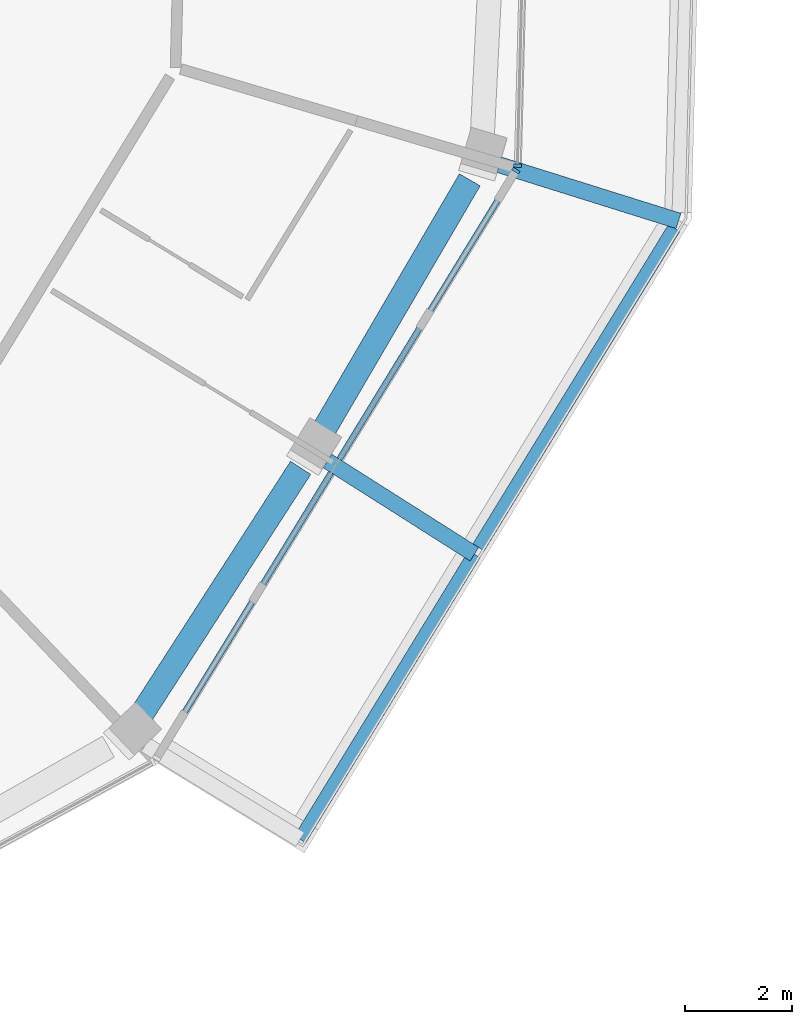
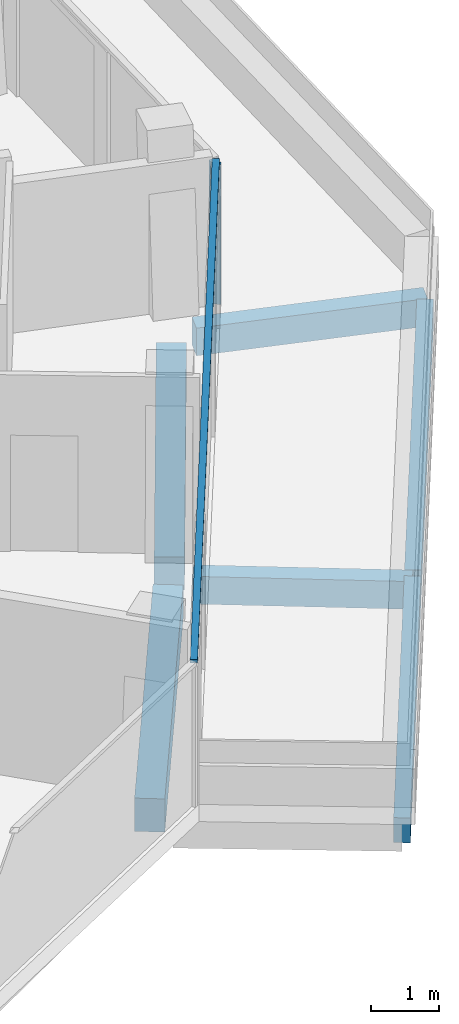
# One storey, part 4 of 24: 6 beams, 3 members, 2 elements without a shape of their own.
"""IFC4 building model written with IfcOpenShell, lengths in metres."""

from ifc_helpers import new_model, si_unit, direction, frame, origin, origin_2d, place, context, subcontext, project, spatial, rectangle, extrude, material, layer, layer_set, material_profile, profile_set, type_object, element, aggregate, save


model = new_model("IFC4")

# Units and contexts
model_context = context("Model", 3, precision=1e-05, world=origin(), true_north=direction((0.0, 1.0)))
body_context = subcontext(model_context, "Body", "Model", "MODEL_VIEW")
ifc_project = project(units=[si_unit("LENGTHUNIT", "METRE"), si_unit("AREAUNIT", "SQUARE_METRE"), si_unit("VOLUMEUNIT", "CUBIC_METRE"), si_unit("PLANEANGLEUNIT", "RADIAN"), si_unit("MASSUNIT", "GRAM", prefix="KILO")], contexts=[model_context])

# Site, building, storey
site_placement = place(None, origin())
site = spatial("IfcSite", under=ifc_project, at=site_placement, CompositionType="ELEMENT")
building_placement = place(site_placement, origin())
building = spatial("IfcBuilding", under=site, at=building_placement, Name="Verdalira Terraces Hotel", CompositionType="ELEMENT")
storey_placement = place(building_placement, frame((0.0, 0.0, 274.0)))
storey = spatial("IfcBuildingStorey", under=building, at=storey_placement, Name="L67", CompositionType="ELEMENT", Elevation=274.0)

# Beams
ifc_material_1 = material(Name="Concrete C40", Category="concrete")
ifc_material_profile_1 = material_profile(ifc_material_1, rectangle(XDim=0.300049, YDim=0.5, at=origin_2d()), Name="RC 300X500")
ifc_profile_set_1 = profile_set([ifc_material_profile_1], Name="Concrete C40")
beam_type_1 = type_object("IfcBeamType", Name="Balcony cantilever beam RC 300X500 C40", PredefinedType="BEAM", material=ifc_profile_set_1)
beam_1_placement = place(storey_placement, frame((20.467529, -12.548584, -0.560059), z_axis=(0.844307203, -0.535859446, 0.0), x_axis=(0.535859446, 0.844307203, 0.0)))
element("IfcBeam", 1, at=beam_1_placement, inside=storey, type_object=beam_type_1, Name="Balcony cantilever beam R26-2", PredefinedType="BEAM", context=body_context, shape_type="SweptSolid", body=[
    extrude(rectangle(XDim=0.300049, YDim=0.5, at=origin_2d()), origin(), (0.0, 0.0, 1.0), 3.250732),
])
beam_2_placement = place(storey_placement, frame((23.679199, -7.019531, -0.560059), z_axis=(0.954240455, -0.299040388, 0.0), x_axis=(0.299040388, 0.954240455, 0.0)))
element("IfcBeam", 2, at=beam_2_placement, inside=storey, type_object=beam_type_1, Name="Balcony cantilever beam R26-3", PredefinedType="BEAM", context=body_context, shape_type="SweptSolid", body=[
    extrude(rectangle(XDim=0.300049, YDim=0.5, at=origin_2d()), origin(), (0.0, 0.0, 1.0), 3.504883),
])
ifc_material_2 = material(Name="Concrete C40", Category="concrete")
ifc_material_profile_2 = material_profile(ifc_material_2, rectangle(XDim=0.25, YDim=0.449951, at=origin_2d()), Name="RC 250X450")
ifc_profile_set_2 = profile_set([ifc_material_profile_2], Name="Concrete C40")
beam_type_2 = type_object("IfcBeamType", Name="Balcony edge beam RC 250X450 C40", PredefinedType="BEAM", material=ifc_profile_set_2)
beam_3_placement = place(storey_placement, frame((19.956787, -19.615479, -0.534912), z_axis=(0.52159399, 0.853193829, 0.0), x_axis=(-0.853193829, 0.52159399, 0.0)))
element("IfcBeam", 3, at=beam_3_placement, inside=storey, type_object=beam_type_2, Name="Balcony edge beam R26-1", PredefinedType="BEAM", context=body_context, shape_type="SweptSolid", body=[
    extrude(rectangle(XDim=0.25, YDim=0.449951, at=origin_2d()), origin(), (0.0, 0.0, 1.0), 6.241211),
])
beam_4_placement = place(storey_placement, frame((23.290527, -14.162598, -0.534912), z_axis=(0.522319696, 0.85274975, 0.0), x_axis=(-0.85274975, 0.522319696, 0.0)))
element("IfcBeam", 4, at=beam_4_placement, inside=storey, type_object=beam_type_2, Name="Balcony edge beam R26-2", PredefinedType="BEAM", context=body_context, shape_type="SweptSolid", body=[
    extrude(rectangle(XDim=0.25, YDim=0.449951, at=origin_2d()), origin(), (0.0, 0.0, 1.0), 6.992432),
])

# Curtain wall, member
ifc_material_3 = material(Name="Clear glass", Category="glass")
ifc_layer = layer(ifc_material_3, 0.14990234375)
ifc_layer_set = layer_set([ifc_layer], Name="CW1 curtain wall")
curtain_wall_type = type_object("IfcCurtainWallType", Name="CW1 curtain wall", PredefinedType="NOTDEFINED", material=ifc_layer_set)
curtain_wall_1_placement = place(storey_placement, origin())
curtain_wall_1 = element("IfcCurtainWall", 5, at=curtain_wall_1_placement, inside=storey, type_object=curtain_wall_type, Name="CW1 curtain wall L67 edge 26", PredefinedType="NOTDEFINED")
ifc_material_4 = material(Name="Terracotta frame", Category="masonry")
ifc_material_profile_3 = material_profile(ifc_material_4, rectangle(XDim=0.060059, YDim=0.149902, at=origin_2d()), Name="MU 60x150")
ifc_profile_set_3 = profile_set([ifc_material_profile_3], Name="Terracotta frame")
member_type_1 = type_object("IfcMemberType", Name="CW1 mullion 60x150", PredefinedType="MULLION", material=ifc_profile_set_3)
member_1_placement = place(storey_placement, frame((23.986816, -7.128418, 0.0), z_axis=(0.0, 0.0, 1.0), x_axis=(0.521605396, 0.853186856, 0.0)))
member_1 = element("IfcMember", 6, at=member_1_placement, type_object=member_type_1, Name="CW1 mullion", PredefinedType="MULLION", context=body_context, shape_type="SweptSolid", body=[
    extrude(rectangle(XDim=0.060059, YDim=0.149902, at=origin_2d()), origin(), (0.0, 0.0, 1.0), 2.524902),
])

curtain_wall_2_placement = place(storey_placement, origin())
curtain_wall_2 = element("IfcCurtainWall", 7, at=curtain_wall_2_placement, inside=storey, type_object=curtain_wall_type, Name="CW1 curtain wall L67 edge 27", PredefinedType="NOTDEFINED")
member_2_placement = place(storey_placement, frame((24.01416, -7.0354, 0.0), z_axis=(0.0, 0.0, 1.0), x_axis=(0.025130095, 0.999684189, 0.0)))
member_2 = element("IfcMember", 8, at=member_2_placement, type_object=member_type_1, Name="CW1 mullion", PredefinedType="MULLION", context=body_context, shape_type="SweptSolid", body=[
    extrude(rectangle(XDim=0.060059, YDim=0.149902, at=origin_2d()), origin(), (0.0, 0.0, 1.0), 2.524902),
])
aggregate(curtain_wall_2, [member_2])

# Member
ifc_material_5 = material(Name="Terracotta frame", Category="masonry")
ifc_material_profile_4 = material_profile(ifc_material_5, rectangle(XDim=0.110107, YDim=0.064941, at=origin_2d()), Name="TR 65x110")
ifc_profile_set_4 = profile_set([ifc_material_profile_4], Name="Terracotta frame")
member_type_2 = type_object("IfcMemberType", Name="CW1 transom 65x110", PredefinedType="USERDEFINED", material=ifc_profile_set_4)
member_3_placement = place(storey_placement, frame((17.263428, -18.125488, 2.557617), z_axis=(0.52161434, 0.853181388, 0.0), x_axis=(-0.853181388, 0.52161434, 0.0)))
member_3 = element("IfcMember", 9, at=member_3_placement, type_object=member_type_2, Name="CW1 transom", ObjectType="TRANSOM", PredefinedType="USERDEFINED", context=body_context, shape_type="SweptSolid", body=[
    extrude(rectangle(XDim=0.110107, YDim=0.064941, at=origin_2d()), origin(), (0.0, 0.0, 1.0), 12.919434),
])

aggregate(curtain_wall_1, [member_1, member_3])

# Beams
ifc_material_6 = material(Name="Concrete C40", Category="concrete")
ifc_material_profile_5 = material_profile(ifc_material_6, rectangle(XDim=0.449951, YDim=0.600098, at=origin_2d()), Name="RC 450X600")
ifc_profile_set_5 = profile_set([ifc_material_profile_5], Name="Concrete C40")
beam_type_3 = type_object("IfcBeamType", Name="Spandrel beam RC 450X600 C40", PredefinedType="SPANDREL", material=ifc_profile_set_5)
beam_5_placement = place(storey_placement, frame((16.973633, -17.319092, -0.610107), z_axis=(0.542153045, 0.84027976, 0.0), x_axis=(-0.84027976, 0.542153045, 0.0)))
element("IfcBeam", 10, at=beam_5_placement, inside=storey, type_object=beam_type_3, Name="Spandrel beam B15", PredefinedType="SPANDREL", context=body_context, shape_type="SweptSolid", body=[
    extrude(rectangle(XDim=0.449951, YDim=0.600098, at=origin_2d()), origin(), (0.0, 0.0, 1.0), 5.523682),
])
beam_6_placement = place(storey_placement, frame((20.342285, -12.068115, -0.610107), z_axis=(0.5043026, 0.863527004, 0.0), x_axis=(-0.863527004, 0.5043026, 0.0)))
element("IfcBeam", 11, at=beam_6_placement, inside=storey, type_object=beam_type_3, Name="Spandrel beam B16", PredefinedType="SPANDREL", context=body_context, shape_type="SweptSolid", body=[
    extrude(rectangle(XDim=0.449951, YDim=0.600098, at=origin_2d()), origin(), (0.0, 0.0, 1.0), 5.52124),
])

save(model, "model.ifc")
